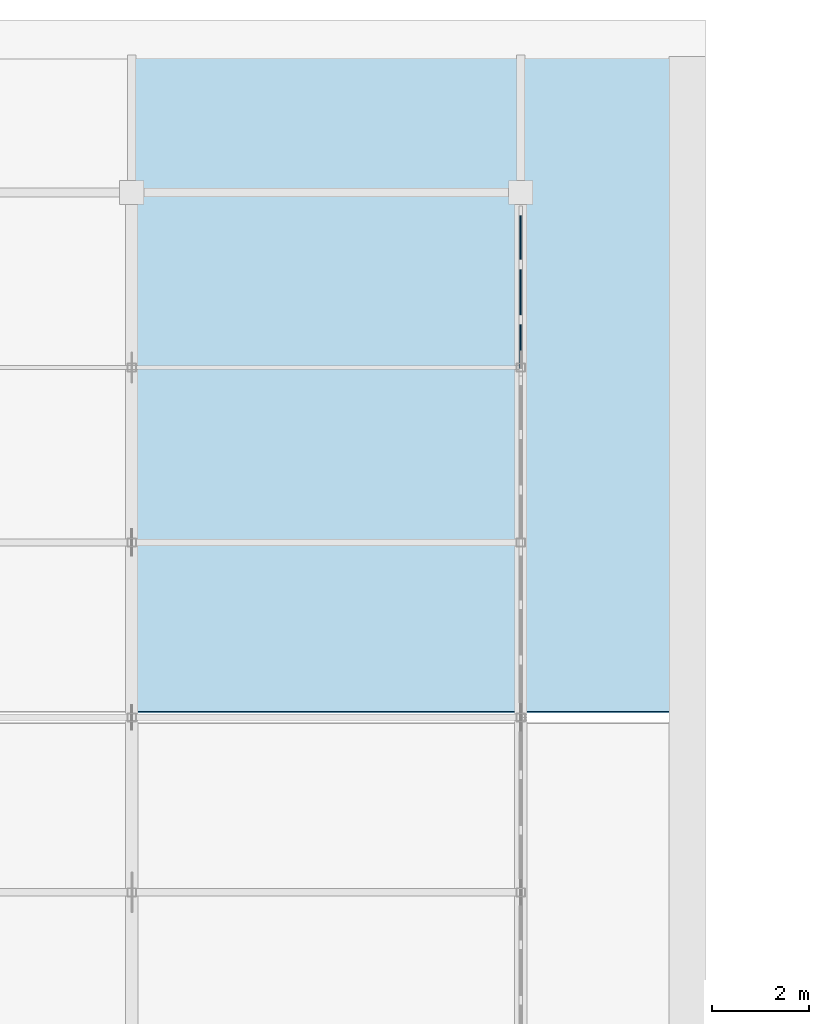
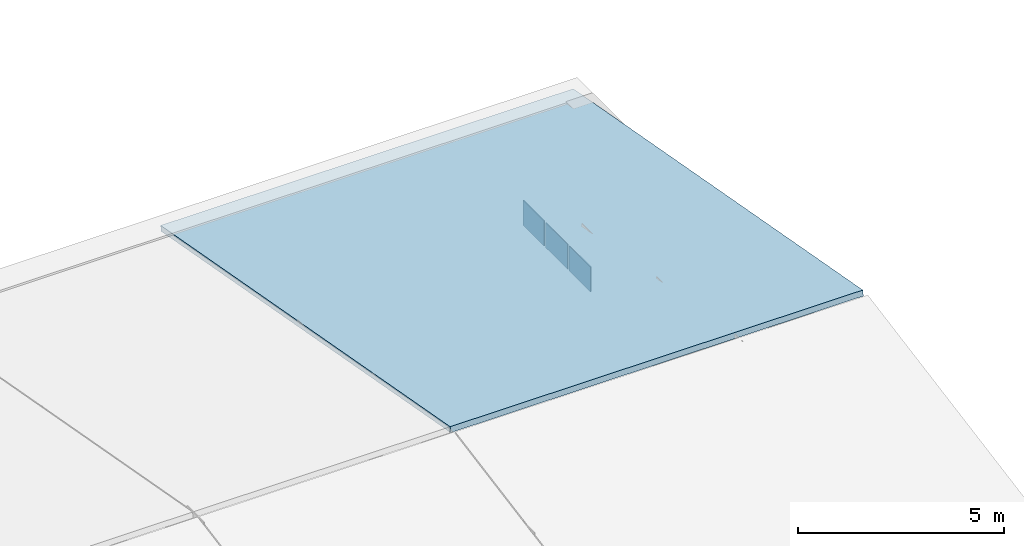
# One storey, part 70 of 105: 3 plates, 1 slab, 1 element without a shape of its own.
"""IFC4 building model written with IfcOpenShell, lengths in metres."""

from ifc_helpers import new_model, si_unit, direction, frame, origin, origin_2d, place, context, subcontext, project, spatial, polyline, rectangle, outline, extrude, material, layer, layer_set, type_object, element, aggregate, save


model = new_model("IFC4")

# Units and contexts
model_context = context("Model", 3, precision=1e-05, world=origin(), true_north=direction((0.0, 1.0)))
body_context = subcontext(model_context, "Body", "Model", "MODEL_VIEW")
ifc_project = project(units=[si_unit("LENGTHUNIT", "METRE"), si_unit("AREAUNIT", "SQUARE_METRE"), si_unit("VOLUMEUNIT", "CUBIC_METRE"), si_unit("PLANEANGLEUNIT", "RADIAN"), si_unit("MASSUNIT", "GRAM", prefix="KILO")], contexts=[model_context])

# Site, building, storey
site_placement = place(None, origin())
site = spatial("IfcSite", under=ifc_project, at=site_placement, CompositionType="ELEMENT")
building_placement = place(site_placement, origin())
building = spatial("IfcBuilding", under=site, at=building_placement, Name="Corveleigh Park Community Centre", CompositionType="ELEMENT")
storey_placement = place(building_placement, frame((0.0, 0.0, 8.699951171875)))
storey = spatial("IfcBuildingStorey", under=building, at=storey_placement, Name="L02", CompositionType="ELEMENT", Elevation=8.699951171875)

# Curtain wall, plates
ifc_material_1 = material(Name="Anodised aluminium 6063-T6", Category="aluminium")
curtain_wall_type = type_object("IfcCurtainWallType", Name="CW-SYS-V2-HALL", PredefinedType="NOTDEFINED", material=ifc_material_1)
curtain_wall_placement = place(storey_placement, origin())
curtain_wall = element("IfcCurtainWall", 1, at=curtain_wall_placement, inside=storey, type_object=curtain_wall_type, Name="Sports Hall E Gable Clerestory 6", PredefinedType="NOTDEFINED")
ifc_material_2 = material(Name="Low-E double glazing", Category="glass")
ifc_layer_1 = layer(ifc_material_2, 0.028076171875, Name="Low-E double glazing", Category="glass")
ifc_layer_set_1 = layer_set([ifc_layer_1], Name="Low-E double glazing")
plate_type = type_object("IfcPlateType", Name="CWP-GLZ-28", PredefinedType="CURTAIN_PANEL", material=ifc_layer_set_1)
plate_1_placement = place(storey_placement, frame((54.39990234375, 113.472412109375, 0.06494140625), z_axis=(0.0, 0.0, 1.0), x_axis=(0.0, -1.0, 0.0)))
plate_1 = element("IfcPlate", 2, at=plate_1_placement, type_object=plate_type, Name="CW04 panel 1.1", PredefinedType="CURTAIN_PANEL", context=body_context, shape_type="SweptSolid", body=[
    extrude(rectangle(XDim=1.034912109375, YDim=0.028076171875, at=origin_2d()), origin(), (0.0, 0.0, 1.0), 0.740966796875),
])
plate_2_placement = place(storey_placement, frame((54.39990234375, 112.35009765625, 0.06494140625), z_axis=(0.0, 0.0, 1.0), x_axis=(0.0, -1.0, 0.0)))
plate_2 = element("IfcPlate", 3, at=plate_2_placement, type_object=plate_type, Name="CW04 panel 2.1", PredefinedType="CURTAIN_PANEL", context=body_context, shape_type="SweptSolid", body=[
    extrude(rectangle(XDim=1.070068359375, YDim=0.028076171875, at=origin_2d()), origin(), (0.0, 0.0, 1.0), 0.740966796875),
])
plate_3_placement = place(storey_placement, frame((54.39990234375, 111.2275390625, 0.06494140625), z_axis=(0.0, 0.0, 1.0), x_axis=(0.0, -1.0, 0.0)))
plate_3 = element("IfcPlate", 4, at=plate_3_placement, type_object=plate_type, Name="CW04 panel 3.1", PredefinedType="CURTAIN_PANEL", context=body_context, shape_type="SweptSolid", body=[
    extrude(rectangle(XDim=1.034912109375, YDim=0.028076171875, at=origin_2d()), origin(), (0.0, 0.0, 1.0), 0.740966796875),
])
aggregate(curtain_wall, [plate_1, plate_2, plate_3])

# Slab
ifc_material_3 = material(Name="Concrete C32/40", Category="concrete")
ifc_layer_2 = layer(ifc_material_3, 0.162109375, Name="Concrete C32/40", Category="concrete")
ifc_layer_set_2 = layer_set([ifc_layer_2], Name="Concrete C32/40")
slab_type = type_object("IfcSlabType", Name="SLB-ROF-162", PredefinedType="ROOF", material=ifc_layer_set_2)
slab_placement = place(storey_placement, frame((46.4150390625, 103.719970703125, 3.09716796875), z_axis=(0.0, 0.179169153638, 0.983818283213), x_axis=(1.0, 0.0, 0.0)))
element("IfcSlab", 5, at=slab_placement, inside=storey, type_object=slab_type, Name="Sports Hall North Roof Bay 6", PredefinedType="ROOF", context=body_context, shape_type="SweptSolid", body=[
    extrude(outline(polyline([(0.0, 0.0), (11.5849609375, 0.0), (11.5849609375, 14.31166544192719), (0.0, 14.31166544192719), (0.0, 0.0)])), origin(), (0.0, 0.0, -1.0), 0.162109375),
])

save(model, "model.ifc")
